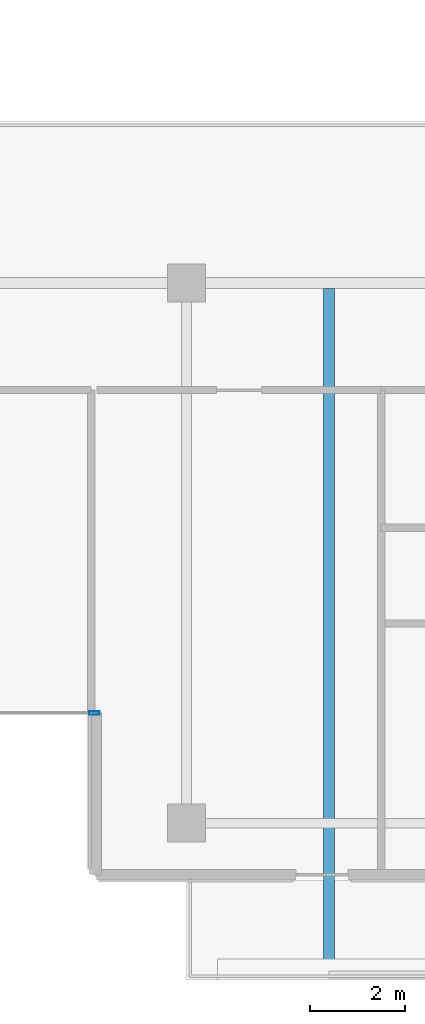
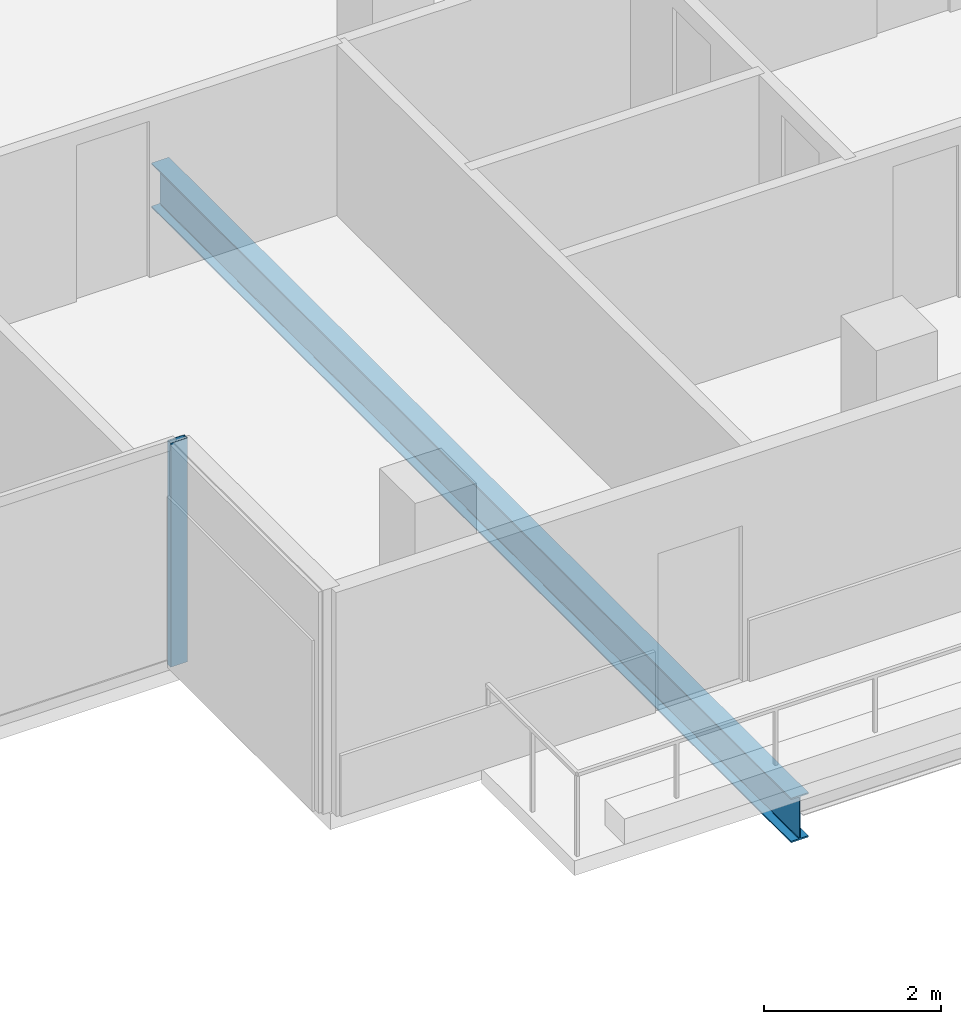
# One storey, part 6 of 29: 1 beam, 1 member, 1 element without a shape of its own.
"""IFC4 building model written with IfcOpenShell, lengths in metres."""

from ifc_helpers import new_model, si_unit, direction, frame, origin, origin_2d, place, context, subcontext, project, spatial, hollow_rectangle, i_section, extrude, material, layer, layer_set, material_profile, profile_set, type_object, element, aggregate, save


model = new_model("IFC4")

# Units and contexts
model_context = context("Model", 3, precision=1e-05, world=origin(), true_north=direction((0.0, 1.0)))
body_context = subcontext(model_context, "Body", "Model", "MODEL_VIEW")
ifc_project = project(units=[si_unit("LENGTHUNIT", "METRE"), si_unit("AREAUNIT", "SQUARE_METRE"), si_unit("VOLUMEUNIT", "CUBIC_METRE"), si_unit("PLANEANGLEUNIT", "RADIAN"), si_unit("MASSUNIT", "GRAM", prefix="KILO")], contexts=[model_context])

# Site, building, storey
site_placement = place(None, origin())
site = spatial("IfcSite", under=ifc_project, at=site_placement, CompositionType="ELEMENT")
building_placement = place(site_placement, origin())
building = spatial("IfcBuilding", under=site, at=building_placement, Name="Tanjung Sevakor Pilgrim Tower", CompositionType="ELEMENT")
storey_placement = place(building_placement, frame((0.0, 0.0, 181.830078125)))
storey = spatial("IfcBuildingStorey", under=building, at=storey_placement, Name="L50", CompositionType="ELEMENT", Elevation=181.830078125)

# Beam
ifc_material_1 = material(Name="Steel S355J2", Category="steel")
ifc_material_profile_1 = material_profile(ifc_material_1, i_section(OverallWidth=0.22900390625, OverallDepth=0.6123046875, WebThickness=0.011962890625, FlangeThickness=0.01953125, FilletRadius=0.0126953125, at=origin_2d()))
ifc_profile_set_1 = profile_set([ifc_material_profile_1], Name="Steel S355J2")
beam_type = type_object("IfcBeamType", Name="BM-B-G4-UB_610x229x125", PredefinedType="BEAM", material=ifc_profile_set_1)
beam_placement = place(storey_placement, frame((57.0, 24.485595703125, -0.526123046875), z_axis=(0.0, -1.0, 0.0), x_axis=(1.0, 0.0, 0.0)))
element("IfcBeam", 1, at=beam_placement, inside=storey, type_object=beam_type, Name="L50 Balcony Cantilever Beam MAIN-S2-1", PredefinedType="BEAM", context=body_context, shape_type="SweptSolid", body=[
    extrude(i_section(OverallWidth=0.22900390625, OverallDepth=0.6123046875, WebThickness=0.011962890625, FlangeThickness=0.01953125, FilletRadius=0.0126953125, at=origin_2d()), origin(), (0.0, 0.0, 1.0), 14.41552734375),
])

# Curtain wall, member
ifc_material_2 = material(Name="Aluminium 6063-T6 and Low-E Glass", Category="aluminium")
ifc_layer = layer(ifc_material_2, 0.179931640625)
ifc_layer_set = layer_set([ifc_layer], Name="CW-SYS-CLEFT")
curtain_wall_type = type_object("IfcCurtainWallType", Name="CW-SYS-CLEFT", PredefinedType="NOTDEFINED", material=ifc_layer_set)
curtain_wall_placement = place(storey_placement, origin())
curtain_wall = element("IfcCurtainWall", 2, at=curtain_wall_placement, inside=storey, type_object=curtain_wall_type, Name="L50 Curtain Wall CW-CLF-L50-2", PredefinedType="NOTDEFINED")
ifc_material_3 = material(Name="Aluminium 6063-T6", Category="aluminium")
ifc_material_profile_2 = material_profile(ifc_material_3, hollow_rectangle(XDim=0.074951171875, YDim=0.219970703125, WallThickness=0.0048828125, at=origin_2d()))
ifc_profile_set_2 = profile_set([ifc_material_profile_2], Name="Aluminium 6063-T6")
member_type = type_object("IfcMemberType", Name="TYPE-CWM-2", PredefinedType="MULLION", material=ifc_profile_set_2)
member_placement = place(storey_placement, frame((52.072509765625, 15.56005859375, 0.0), z_axis=(0.0, 0.0, 1.0), x_axis=(0.0, 1.0, 0.0)))
member = element("IfcMember", 3, at=member_placement, type_object=member_type, Name="CW-CLF mullion 2", PredefinedType="MULLION", context=body_context, shape_type="SweptSolid", body=[
    extrude(hollow_rectangle(XDim=0.074951171875, YDim=0.219970703125, WallThickness=0.0048828125, at=origin_2d()), origin(), (0.0, 0.0, 1.0), 3.079833984375),
])
aggregate(curtain_wall, [member])

save(model, "model.ifc")
